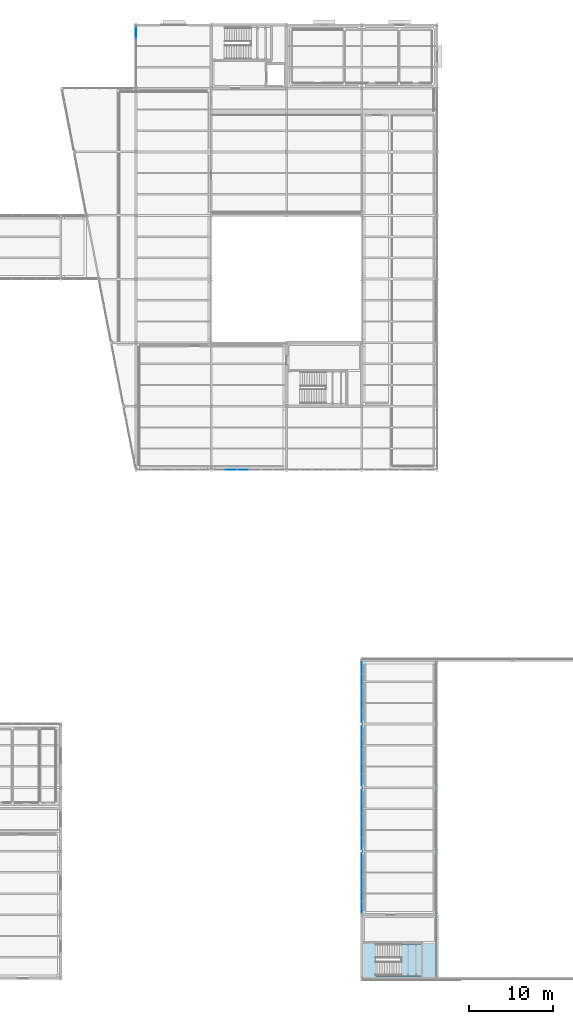
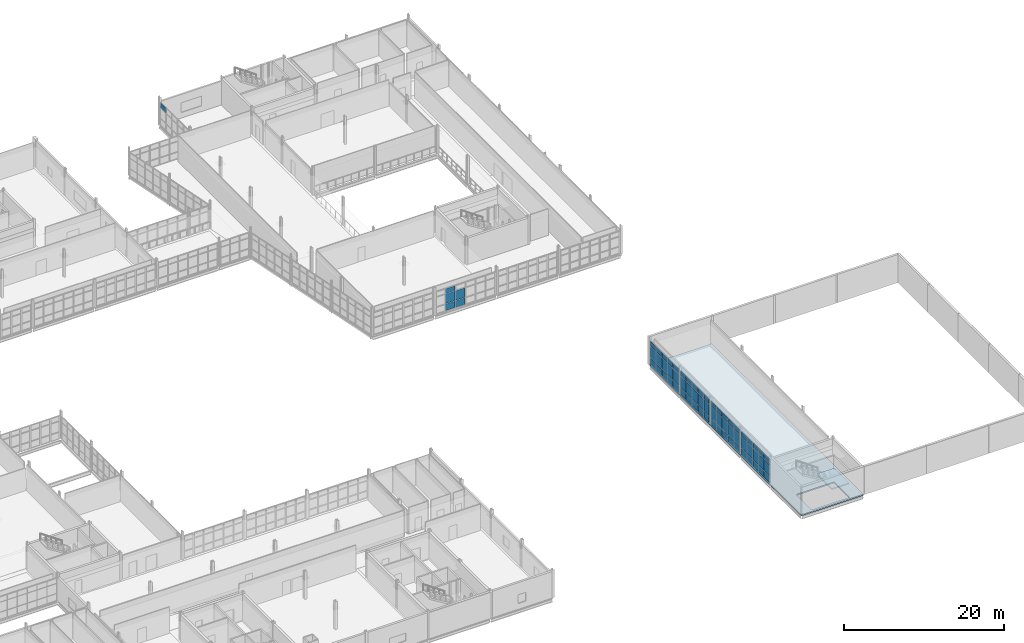
# One storey, part 142 of 174: 66 plates, 2 slabs, 7 elements without a shape of their own.
"""IFC4 building model written with IfcOpenShell, lengths in metres."""

import ifcopenshell
import ifcopenshell.guid

model = None  # the IFC model being written
_history = None  # IfcOwnerHistory: only IFC2X3 demands one
_inside = {}  # id of a spatial element -> (the spatial element, [elements in it])
_under = {}  # id of a project, library or spatial element -> (it, [spatial elements below it])
_declared = {}  # id of a project -> (the project, [libraries it declares])
_typed = {}  # id of a type object -> (the type object, [elements of that type])
_made_of = {}  # id of a material, layer set ... -> (it, [elements and type objects made of it])


def new_model(schema):
    """Start an empty IFC model of exactly this schema.

    Asked for "IFC4X3", IfcOpenShell would pick the latest addendum, in which some entities
    have other attributes; the version numbers below select the first issue.
    IFC2X3 requires an IfcOwnerHistory on every rooted entity: one is made here for all.
    """
    global model, _history
    if schema == "IFC4X3":
        model = ifcopenshell.file(schema_version=(4, 3, 0, 0))
    else:
        model = ifcopenshell.file(schema=schema)
    _inside.clear()
    _under.clear()
    _declared.clear()
    _typed.clear()
    _made_of.clear()
    _history = None
    if model.schema == "IFC2X3":
        org = make("IfcOrganization", Name="unknown")
        user = make(
            "IfcPersonAndOrganization",
            ThePerson=make("IfcPerson", FamilyName="unknown"),
            TheOrganization=org,
        )
        app = make(
            "IfcApplication",
            ApplicationDeveloper=org,
            Version="unknown",
            ApplicationFullName="unknown",
            ApplicationIdentifier="unknown",
        )
        _history = make(
            "IfcOwnerHistory",
            OwningUser=user,
            OwningApplication=app,
            ChangeAction="ADDED",
            CreationDate=0,
        )
    return model


def make(cls, **values):
    """One entity of the class cls with the attributes given. An attribute that is None is left unset."""
    return model.create_entity(
        cls, **{name: value for name, value in values.items() if value is not None}
    )


def rooted(cls, **values):
    """An entity with a GlobalId (a new one), such as an element, a storey or a relation."""
    return make(cls, GlobalId=ifcopenshell.guid.new(), OwnerHistory=_history, **values)


def si_unit(unit_type, name, prefix=None):
    """IfcSIUnit, for example si_unit("LENGTHUNIT", "METRE", prefix="MILLI")."""
    return make("IfcSIUnit", UnitType=unit_type, Prefix=prefix, Name=name)


def assignment(units):
    """IfcUnitAssignment: the units of a project."""
    return None if units is None else make("IfcUnitAssignment", Units=units)


def point(xyz):
    """IfcCartesianPoint."""
    return None if xyz is None else make("IfcCartesianPoint", Coordinates=xyz)


def direction(xyz):
    """IfcDirection."""
    return None if xyz is None else make("IfcDirection", DirectionRatios=xyz)


def frame(location, z_axis=None, x_axis=None):
    """IfcAxis2Placement3D, a coordinate frame: its origin and axes. An axis left out is left unset."""
    return make(
        "IfcAxis2Placement3D",
        Location=point(location),
        Axis=direction(z_axis),
        RefDirection=direction(x_axis),
    )


def frame_2d(location, x_axis=None):
    """IfcAxis2Placement2D, a coordinate frame in the plane: its origin and x axis."""
    return make(
        "IfcAxis2Placement2D", Location=point(location), RefDirection=direction(x_axis)
    )


def origin():
    """The frame at (0, 0, 0) with its axes left unset."""
    return frame((0.0, 0.0, 0.0))


def origin_2d():
    """The frame at (0, 0) in the plane with its x axis left unset."""
    return frame_2d((0.0, 0.0))


def place(relative_to, where):
    """IfcLocalPlacement: puts the frame where relative to a parent placement (None: the world)."""
    return make(
        "IfcLocalPlacement", PlacementRelTo=relative_to, RelativePlacement=where
    )


def context(
    kind, dimensions, precision=None, world=None, true_north=None, identifier=None
):
    """IfcGeometricRepresentationContext, for example the 3D "Model" context."""
    return make(
        "IfcGeometricRepresentationContext",
        ContextIdentifier=identifier,
        ContextType=kind,
        CoordinateSpaceDimension=dimensions,
        Precision=precision,
        WorldCoordinateSystem=world,
        TrueNorth=true_north,
    )


def subcontext(parent, identifier, kind, view, scale=None):
    """IfcGeometricRepresentationSubContext, for example "Body" below "Model"."""
    return make(
        "IfcGeometricRepresentationSubContext",
        ContextIdentifier=identifier,
        ContextType=kind,
        ParentContext=parent,
        TargetScale=scale,
        TargetView=view,
    )


def project(units=None, contexts=None):
    """IfcProject with its units and contexts."""
    return rooted(
        "IfcProject",
        Name="project",
        RepresentationContexts=contexts,
        UnitsInContext=assignment(units),
    )


def spatial(cls, under=None, at=None, **own):
    """A site, building, storey or space (cls), placed at a placement, below another one or the project."""
    s = rooted(cls, ObjectPlacement=at, **own)
    if under is not None:
        _under.setdefault(under.id(), (under, []))[1].append(s)
    return s


def polyline(points):
    """IfcPolyline through the points."""
    return make("IfcPolyline", Points=[point(p) for p in points])


def profile(cls, at=None, kind="AREA", **sizes):
    """A parametric profile (cls). Its sizes go by their IFC names, for example OverallWidth=200.0."""
    return make(cls, ProfileType=kind, Position=at, **sizes)


def rectangle(**sizes):
    """IfcRectangleProfileDef."""
    return profile("IfcRectangleProfileDef", **sizes)


def outline(outer, holes=None, kind="AREA"):
    """IfcArbitraryClosedProfileDef: a profile drawn as a closed curve; with holes, ...WithVoids."""
    if holes is None:
        return make("IfcArbitraryClosedProfileDef", ProfileType=kind, OuterCurve=outer)
    return make(
        "IfcArbitraryProfileDefWithVoids",
        ProfileType=kind,
        OuterCurve=outer,
        InnerCurves=holes,
    )


def extrude(swept, where, along, depth):
    """IfcExtrudedAreaSolid: the profile swept, set in the frame where, extruded along a direction by depth."""
    return make(
        "IfcExtrudedAreaSolid",
        SweptArea=swept,
        Position=where,
        ExtrudedDirection=direction(along),
        Depth=depth,
    )


def shape(context_of_items, identifier, shape_type, items):
    """IfcShapeRepresentation: the items that make up one representation, for example the "Body"."""
    return make(
        "IfcShapeRepresentation",
        ContextOfItems=context_of_items,
        RepresentationIdentifier=identifier,
        RepresentationType=shape_type,
        Items=items,
    )


def material(Name=None, Category=None):
    """IfcMaterial."""
    return make("IfcMaterial", Name=Name, Category=Category)


def layer(
    of_material, thickness, ventilated=None, Name=None, Category=None, Priority=None
):
    """IfcMaterialLayer: one layer of a wall or slab, of a material (None: an air gap)."""
    return make(
        "IfcMaterialLayer",
        Material=of_material,
        LayerThickness=thickness,
        IsVentilated=ventilated,
        Name=Name,
        Category=Category,
        Priority=Priority,
    )


def layer_set(layers, Name=None):
    """IfcMaterialLayerSet."""
    return make("IfcMaterialLayerSet", MaterialLayers=layers, LayerSetName=Name)


def made_of(thing, what):
    """Note that an element or type object is made of a material, layer set ...; save() writes the relation."""
    if what is not None:
        _made_of.setdefault(what.id(), (what, []))[1].append(thing)
    return thing


def type_object(cls, material=None, **own):
    """A type object (cls), such as IfcWallType, which elements share."""
    return made_of(rooted(cls, **own), material)


def element(
    cls,
    number,
    at=None,
    inside=None,
    cuts=None,
    type_object=None,
    material=None,
    context=None,
    identifier="Body",
    shape_type=None,
    held_by="IfcProductDefinitionShape",
    body=None,
    shapes=None,
    **own,
):
    """One element of the class cls, such as IfcWall. Its Tag is "e" and its number.

    at: its placement. inside: the storey or other place that contains it. cuts: it is an
    opening in that element (IfcRelVoidsElement). A single representation is given by context,
    identifier, shape_type and body (its items); several are given by shapes. held_by: the class
    of the entity that holds the representations. save() writes the other relations.
    """
    e = rooted(cls, Tag="e%d" % number, ObjectPlacement=at, **own)
    if body is not None:
        shapes = [shape(context, identifier, shape_type, body)]
    if shapes is not None:
        e.Representation = make(held_by, Representations=shapes)
    if inside is not None:
        _inside.setdefault(inside.id(), (inside, []))[1].append(e)
    if cuts is not None:
        rooted(
            "IfcRelVoidsElement", RelatingBuildingElement=cuts, RelatedOpeningElement=e
        )
    if type_object is not None:
        _typed.setdefault(type_object.id(), (type_object, []))[1].append(e)
    return made_of(e, material)


def aggregate(whole, parts):
    """IfcRelAggregates: a whole, such as a stair, and the parts it consists of."""
    return rooted("IfcRelAggregates", RelatingObject=whole, RelatedObjects=parts)


def save(model, path):
    """Write the relations noted so far, then the file.

    IfcRelAggregates (storeys below a building ...), IfcRelContainedInSpatialStructure (elements
    in a storey), IfcRelDefinesByType, IfcRelAssociatesMaterial and IfcRelDeclares: one each for
    every whole, place, type object, material and project.
    """
    for whole, parts in _under.values():
        aggregate(whole, parts)
    for where, things in _inside.values():
        rooted(
            "IfcRelContainedInSpatialStructure",
            RelatedElements=things,
            RelatingStructure=where,
        )
    for kind, things in _typed.values():
        rooted("IfcRelDefinesByType", RelatedObjects=things, RelatingType=kind)
    for what, things in _made_of.values():
        rooted("IfcRelAssociatesMaterial", RelatedObjects=things, RelatingMaterial=what)
    for by, libraries in _declared.values():
        rooted("IfcRelDeclares", RelatingContext=by, RelatedDefinitions=libraries)
    model.write(path)


model = new_model("IFC4")

# Units and contexts
model_context = context("Model", 3, precision=1e-05, world=origin(), true_north=direction((0.0, 1.0)))
body_context = subcontext(model_context, "Body", "Model", "MODEL_VIEW")
ifc_project = project(units=[si_unit("LENGTHUNIT", "METRE"), si_unit("AREAUNIT", "SQUARE_METRE"), si_unit("VOLUMEUNIT", "CUBIC_METRE"), si_unit("PLANEANGLEUNIT", "RADIAN"), si_unit("MASSUNIT", "GRAM", prefix="KILO")], contexts=[model_context])

# Site, building, storey
site_placement = place(None, origin())
site = spatial("IfcSite", under=ifc_project, at=site_placement, CompositionType="ELEMENT")
building_placement = place(site_placement, origin())
building = spatial("IfcBuilding", under=site, at=building_placement, Name="Caisbarro Railhouse Central Library", CompositionType="ELEMENT")
storey_placement = place(building_placement, frame((0.0, 0.0, 5.0400390625)))
storey = spatial("IfcBuildingStorey", under=building, at=storey_placement, Name="L01", CompositionType="ELEMENT", Elevation=5.0400390625)

# Curtain wall, plates
ifc_material_1 = material(Name="Anodised architectural aluminium", Category="aluminium")
curtain_wall_type_1 = type_object("IfcCurtainWallType", Name="CW-CW02", PredefinedType="NOTDEFINED", material=ifc_material_1)
curtain_wall_1_placement = place(storey_placement, origin())
curtain_wall_1 = element("IfcCurtainWall", 1, at=curtain_wall_1_placement, inside=storey, type_object=curtain_wall_type_1, Name="CW02 curtain wall L01 #118", PredefinedType="NOTDEFINED")
ifc_material_2 = material(Name="Double low-e laminated solar-control glass", Category="glass")
ifc_layer_1 = layer(ifc_material_2, 0.028076171875, Name="Double low-e laminated solar-control glass")
ifc_layer_set_1 = layer_set([ifc_layer_1], Name="Double low-e laminated solar-control glass")
plate_type_1 = type_object("IfcPlateType", Name="CWP-CP28", PredefinedType="CURTAIN_PANEL", material=ifc_layer_set_1)
plate_1_placement = place(storey_placement, frame((128.330078125, 60.800048828125, 0.07470703125), z_axis=(0.0, 0.0, 1.0), x_axis=(1.0, 0.0, 0.0)))
plate_1 = element("IfcPlate", 2, at=plate_1_placement, type_object=plate_type_1, Name="CW02 panel 2.1", PredefinedType="CURTAIN_PANEL", context=body_context, shape_type="SweptSolid", body=[
    extrude(rectangle(XDim=1.37158203125, YDim=0.028076171875, at=origin_2d()), origin(), (0.0, 0.0, 1.0), 1.007568359375),
])
plate_2_placement = place(storey_placement, frame((128.330078125, 60.800048828125, 1.1572265625), z_axis=(0.0, 0.0, 1.0), x_axis=(1.0, 0.0, 0.0)))
plate_2 = element("IfcPlate", 3, at=plate_2_placement, type_object=plate_type_1, Name="CW02 panel 2.2", PredefinedType="CURTAIN_PANEL", context=body_context, shape_type="SweptSolid", body=[
    extrude(rectangle(XDim=1.37158203125, YDim=0.028076171875, at=origin_2d()), origin(), (0.0, 0.0, 1.0), 1.465087890625),
])
plate_3_placement = place(storey_placement, frame((128.330078125, 60.800048828125, 2.697265625), z_axis=(0.0, 0.0, 1.0), x_axis=(1.0, 0.0, 0.0)))
plate_3 = element("IfcPlate", 4, at=plate_3_placement, type_object=plate_type_1, Name="CW02 panel 2.3", PredefinedType="CURTAIN_PANEL", context=body_context, shape_type="SweptSolid", body=[
    extrude(rectangle(XDim=1.37158203125, YDim=0.028076171875, at=origin_2d()), origin(), (0.0, 0.0, 1.0), 0.737548828125),
])
plate_4_placement = place(storey_placement, frame((129.776611328125, 60.800048828125, 0.07470703125), z_axis=(0.0, 0.0, 1.0), x_axis=(1.0, 0.0, 0.0)))
plate_4 = element("IfcPlate", 5, at=plate_4_placement, type_object=plate_type_1, Name="CW02 panel 3.1", PredefinedType="CURTAIN_PANEL", context=body_context, shape_type="SweptSolid", body=[
    extrude(rectangle(XDim=1.37158203125, YDim=0.028076171875, at=origin_2d()), origin(), (0.0, 0.0, 1.0), 1.007568359375),
])
plate_5_placement = place(storey_placement, frame((129.776611328125, 60.800048828125, 1.1572265625), z_axis=(0.0, 0.0, 1.0), x_axis=(1.0, 0.0, 0.0)))
plate_5 = element("IfcPlate", 6, at=plate_5_placement, type_object=plate_type_1, Name="CW02 panel 3.2", PredefinedType="CURTAIN_PANEL", context=body_context, shape_type="SweptSolid", body=[
    extrude(rectangle(XDim=1.37158203125, YDim=0.028076171875, at=origin_2d()), origin(), (0.0, 0.0, 1.0), 1.465087890625),
])
aggregate(curtain_wall_1, [plate_1, plate_2, plate_3, plate_4, plate_5])

curtain_wall_2_placement = place(storey_placement, origin())
curtain_wall_2 = element("IfcCurtainWall", 7, at=curtain_wall_2_placement, inside=storey, type_object=curtain_wall_type_1, Name="CW02 curtain wall L01 #88", PredefinedType="NOTDEFINED")
ifc_layer_2 = layer(ifc_material_2, 0.0380859375, Name="Double low-e laminated solar-control glass")
ifc_layer_set_2 = layer_set([ifc_layer_2], Name="Double low-e laminated solar-control glass")
plate_type_2 = type_object("IfcPlateType", Name="CWP-CP38", PredefinedType="CURTAIN_PANEL", material=ifc_layer_set_2)
plate_6_placement = place(storey_placement, frame((144.0, 8.5068359375, 0.07470703125), z_axis=(0.0, 0.0, 1.0), x_axis=(0.0, 1.0, 0.0)))
plate_6 = element("IfcPlate", 8, at=plate_6_placement, type_object=plate_type_2, Name="CW02 panel 1.1", PredefinedType="CURTAIN_PANEL", context=body_context, shape_type="SweptSolid", body=[
    extrude(rectangle(XDim=1.343505859375, YDim=0.0380859375, at=origin_2d()), origin(), (0.0, 0.0, 1.0), 1.007568359375),
])
plate_7_placement = place(storey_placement, frame((144.0, 8.5068359375, 1.157470703125), z_axis=(0.0, 0.0, 1.0), x_axis=(0.0, 1.0, 0.0)))
plate_7 = element("IfcPlate", 9, at=plate_7_placement, type_object=plate_type_2, Name="CW02 panel 1.2", PredefinedType="CURTAIN_PANEL", context=body_context, shape_type="SweptSolid", body=[
    extrude(rectangle(XDim=1.343505859375, YDim=0.0380859375, at=origin_2d()), origin(), (0.0, 0.0, 1.0), 1.72509765625),
])
plate_8_placement = place(storey_placement, frame((144.0, 8.5068359375, 2.95751953125), z_axis=(0.0, 0.0, 1.0), x_axis=(0.0, 1.0, 0.0)))
plate_8 = element("IfcPlate", 10, at=plate_8_placement, type_object=plate_type_2, Name="CW02 panel 1.3", PredefinedType="CURTAIN_PANEL", context=body_context, shape_type="SweptSolid", body=[
    extrude(rectangle(XDim=1.343505859375, YDim=0.0380859375, at=origin_2d()), origin(), (0.0, 0.0, 1.0), 0.737548828125),
])
plate_9_placement = place(storey_placement, frame((144.0, 9.944091796875, 0.07470703125), z_axis=(0.0, 0.0, 1.0), x_axis=(0.0, 1.0, 0.0)))
plate_9 = element("IfcPlate", 11, at=plate_9_placement, type_object=plate_type_2, Name="CW02 panel 2.1", PredefinedType="CURTAIN_PANEL", context=body_context, shape_type="SweptSolid", body=[
    extrude(rectangle(XDim=1.381103515625, YDim=0.0380859375, at=origin_2d()), origin(), (0.0, 0.0, 1.0), 1.007568359375),
])
plate_10_placement = place(storey_placement, frame((144.0, 9.944091796875, 1.157470703125), z_axis=(0.0, 0.0, 1.0), x_axis=(0.0, 1.0, 0.0)))
plate_10 = element("IfcPlate", 12, at=plate_10_placement, type_object=plate_type_2, Name="CW02 panel 2.2", PredefinedType="CURTAIN_PANEL", context=body_context, shape_type="SweptSolid", body=[
    extrude(rectangle(XDim=1.381103515625, YDim=0.0380859375, at=origin_2d()), origin(), (0.0, 0.0, 1.0), 1.72509765625),
])
plate_11_placement = place(storey_placement, frame((144.0, 9.944091796875, 2.95751953125), z_axis=(0.0, 0.0, 1.0), x_axis=(0.0, 1.0, 0.0)))
plate_11 = element("IfcPlate", 13, at=plate_11_placement, type_object=plate_type_2, Name="CW02 panel 2.3", PredefinedType="CURTAIN_PANEL", context=body_context, shape_type="SweptSolid", body=[
    extrude(rectangle(XDim=1.381103515625, YDim=0.0380859375, at=origin_2d()), origin(), (0.0, 0.0, 1.0), 0.737548828125),
])
plate_12_placement = place(storey_placement, frame((144.0, 11.39990234375, 0.07470703125), z_axis=(0.0, 0.0, 1.0), x_axis=(0.0, 1.0, 0.0)))
plate_12 = element("IfcPlate", 14, at=plate_12_placement, type_object=plate_type_2, Name="CW02 panel 3.1", PredefinedType="CURTAIN_PANEL", context=body_context, shape_type="SweptSolid", body=[
    extrude(rectangle(XDim=1.381103515625, YDim=0.0380859375, at=origin_2d()), origin(), (0.0, 0.0, 1.0), 1.007568359375),
])
plate_13_placement = place(storey_placement, frame((144.0, 11.39990234375, 1.157470703125), z_axis=(0.0, 0.0, 1.0), x_axis=(0.0, 1.0, 0.0)))
plate_13 = element("IfcPlate", 15, at=plate_13_placement, type_object=plate_type_2, Name="CW02 panel 3.2", PredefinedType="CURTAIN_PANEL", context=body_context, shape_type="SweptSolid", body=[
    extrude(rectangle(XDim=1.381103515625, YDim=0.0380859375, at=origin_2d()), origin(), (0.0, 0.0, 1.0), 1.72509765625),
])
plate_14_placement = place(storey_placement, frame((144.0, 11.39990234375, 2.95751953125), z_axis=(0.0, 0.0, 1.0), x_axis=(0.0, 1.0, 0.0)))
plate_14 = element("IfcPlate", 16, at=plate_14_placement, type_object=plate_type_2, Name="CW02 panel 3.3", PredefinedType="CURTAIN_PANEL", context=body_context, shape_type="SweptSolid", body=[
    extrude(rectangle(XDim=1.381103515625, YDim=0.0380859375, at=origin_2d()), origin(), (0.0, 0.0, 1.0), 0.737548828125),
])
plate_15_placement = place(storey_placement, frame((144.0, 12.85595703125, 0.07470703125), z_axis=(0.0, 0.0, 1.0), x_axis=(0.0, 1.0, 0.0)))
plate_15 = element("IfcPlate", 17, at=plate_15_placement, type_object=plate_type_2, Name="CW02 panel 4.1", PredefinedType="CURTAIN_PANEL", context=body_context, shape_type="SweptSolid", body=[
    extrude(rectangle(XDim=1.381103515625, YDim=0.0380859375, at=origin_2d()), origin(), (0.0, 0.0, 1.0), 1.007568359375),
])
plate_16_placement = place(storey_placement, frame((144.0, 12.85595703125, 1.157470703125), z_axis=(0.0, 0.0, 1.0), x_axis=(0.0, 1.0, 0.0)))
plate_16 = element("IfcPlate", 18, at=plate_16_placement, type_object=plate_type_2, Name="CW02 panel 4.2", PredefinedType="CURTAIN_PANEL", context=body_context, shape_type="SweptSolid", body=[
    extrude(rectangle(XDim=1.381103515625, YDim=0.0380859375, at=origin_2d()), origin(), (0.0, 0.0, 1.0), 1.72509765625),
])
plate_17_placement = place(storey_placement, frame((144.0, 12.85595703125, 2.95751953125), z_axis=(0.0, 0.0, 1.0), x_axis=(0.0, 1.0, 0.0)))
plate_17 = element("IfcPlate", 19, at=plate_17_placement, type_object=plate_type_2, Name="CW02 panel 4.3", PredefinedType="CURTAIN_PANEL", context=body_context, shape_type="SweptSolid", body=[
    extrude(rectangle(XDim=1.381103515625, YDim=0.0380859375, at=origin_2d()), origin(), (0.0, 0.0, 1.0), 0.737548828125),
])
plate_18_placement = place(storey_placement, frame((144.0, 14.293212890625, 0.07470703125), z_axis=(0.0, 0.0, 1.0), x_axis=(0.0, 1.0, 0.0)))
plate_18 = element("IfcPlate", 20, at=plate_18_placement, type_object=plate_type_2, Name="CW02 panel 5.1", PredefinedType="CURTAIN_PANEL", context=body_context, shape_type="SweptSolid", body=[
    extrude(rectangle(XDim=1.343505859375, YDim=0.0380859375, at=origin_2d()), origin(), (0.0, 0.0, 1.0), 1.007568359375),
])
plate_19_placement = place(storey_placement, frame((144.0, 14.293212890625, 1.157470703125), z_axis=(0.0, 0.0, 1.0), x_axis=(0.0, 1.0, 0.0)))
plate_19 = element("IfcPlate", 21, at=plate_19_placement, type_object=plate_type_2, Name="CW02 panel 5.2", PredefinedType="CURTAIN_PANEL", context=body_context, shape_type="SweptSolid", body=[
    extrude(rectangle(XDim=1.343505859375, YDim=0.0380859375, at=origin_2d()), origin(), (0.0, 0.0, 1.0), 1.72509765625),
])
plate_20_placement = place(storey_placement, frame((144.0, 14.293212890625, 2.95751953125), z_axis=(0.0, 0.0, 1.0), x_axis=(0.0, 1.0, 0.0)))
plate_20 = element("IfcPlate", 22, at=plate_20_placement, type_object=plate_type_2, Name="CW02 panel 5.3", PredefinedType="CURTAIN_PANEL", context=body_context, shape_type="SweptSolid", body=[
    extrude(rectangle(XDim=1.343505859375, YDim=0.0380859375, at=origin_2d()), origin(), (0.0, 0.0, 1.0), 0.737548828125),
])
aggregate(curtain_wall_2, [plate_6, plate_7, plate_8, plate_9, plate_10, plate_11, plate_12, plate_13, plate_14, plate_15, plate_16, plate_17, plate_18, plate_19, plate_20])

curtain_wall_3_placement = place(storey_placement, origin())
curtain_wall_3 = element("IfcCurtainWall", 23, at=curtain_wall_3_placement, inside=storey, type_object=curtain_wall_type_1, Name="CW02 curtain wall L01 #89", PredefinedType="NOTDEFINED")
plate_21_placement = place(storey_placement, frame((144.0, 16.106689453125, 0.07470703125), z_axis=(0.0, 0.0, 1.0), x_axis=(0.0, 1.0, 0.0)))
plate_21 = element("IfcPlate", 24, at=plate_21_placement, type_object=plate_type_2, Name="CW02 panel 1.1", PredefinedType="CURTAIN_PANEL", context=body_context, shape_type="SweptSolid", body=[
    extrude(rectangle(XDim=1.343505859375, YDim=0.0380859375, at=origin_2d()), origin(), (0.0, 0.0, 1.0), 1.007568359375),
])
plate_22_placement = place(storey_placement, frame((144.0, 16.106689453125, 1.157470703125), z_axis=(0.0, 0.0, 1.0), x_axis=(0.0, 1.0, 0.0)))
plate_22 = element("IfcPlate", 25, at=plate_22_placement, type_object=plate_type_2, Name="CW02 panel 1.2", PredefinedType="CURTAIN_PANEL", context=body_context, shape_type="SweptSolid", body=[
    extrude(rectangle(XDim=1.343505859375, YDim=0.0380859375, at=origin_2d()), origin(), (0.0, 0.0, 1.0), 1.72509765625),
])
plate_23_placement = place(storey_placement, frame((144.0, 16.106689453125, 2.95751953125), z_axis=(0.0, 0.0, 1.0), x_axis=(0.0, 1.0, 0.0)))
plate_23 = element("IfcPlate", 26, at=plate_23_placement, type_object=plate_type_2, Name="CW02 panel 1.3", PredefinedType="CURTAIN_PANEL", context=body_context, shape_type="SweptSolid", body=[
    extrude(rectangle(XDim=1.343505859375, YDim=0.0380859375, at=origin_2d()), origin(), (0.0, 0.0, 1.0), 0.737548828125),
])
plate_24_placement = place(storey_placement, frame((144.0, 17.5439453125, 0.07470703125), z_axis=(0.0, 0.0, 1.0), x_axis=(0.0, 1.0, 0.0)))
plate_24 = element("IfcPlate", 27, at=plate_24_placement, type_object=plate_type_2, Name="CW02 panel 2.1", PredefinedType="CURTAIN_PANEL", context=body_context, shape_type="SweptSolid", body=[
    extrude(rectangle(XDim=1.381103515625, YDim=0.0380859375, at=origin_2d()), origin(), (0.0, 0.0, 1.0), 1.007568359375),
])
plate_25_placement = place(storey_placement, frame((144.0, 17.5439453125, 1.157470703125), z_axis=(0.0, 0.0, 1.0), x_axis=(0.0, 1.0, 0.0)))
plate_25 = element("IfcPlate", 28, at=plate_25_placement, type_object=plate_type_2, Name="CW02 panel 2.2", PredefinedType="CURTAIN_PANEL", context=body_context, shape_type="SweptSolid", body=[
    extrude(rectangle(XDim=1.381103515625, YDim=0.0380859375, at=origin_2d()), origin(), (0.0, 0.0, 1.0), 1.72509765625),
])
plate_26_placement = place(storey_placement, frame((144.0, 17.5439453125, 2.95751953125), z_axis=(0.0, 0.0, 1.0), x_axis=(0.0, 1.0, 0.0)))
plate_26 = element("IfcPlate", 29, at=plate_26_placement, type_object=plate_type_2, Name="CW02 panel 2.3", PredefinedType="CURTAIN_PANEL", context=body_context, shape_type="SweptSolid", body=[
    extrude(rectangle(XDim=1.381103515625, YDim=0.0380859375, at=origin_2d()), origin(), (0.0, 0.0, 1.0), 0.737548828125),
])
plate_27_placement = place(storey_placement, frame((144.0, 19.0, 0.07470703125), z_axis=(0.0, 0.0, 1.0), x_axis=(0.0, 1.0, 0.0)))
plate_27 = element("IfcPlate", 30, at=plate_27_placement, type_object=plate_type_2, Name="CW02 panel 3.1", PredefinedType="CURTAIN_PANEL", context=body_context, shape_type="SweptSolid", body=[
    extrude(rectangle(XDim=1.381103515625, YDim=0.0380859375, at=origin_2d()), origin(), (0.0, 0.0, 1.0), 1.007568359375),
])
plate_28_placement = place(storey_placement, frame((144.0, 19.0, 1.157470703125), z_axis=(0.0, 0.0, 1.0), x_axis=(0.0, 1.0, 0.0)))
plate_28 = element("IfcPlate", 31, at=plate_28_placement, type_object=plate_type_2, Name="CW02 panel 3.2", PredefinedType="CURTAIN_PANEL", context=body_context, shape_type="SweptSolid", body=[
    extrude(rectangle(XDim=1.381103515625, YDim=0.0380859375, at=origin_2d()), origin(), (0.0, 0.0, 1.0), 1.72509765625),
])
plate_29_placement = place(storey_placement, frame((144.0, 19.0, 2.95751953125), z_axis=(0.0, 0.0, 1.0), x_axis=(0.0, 1.0, 0.0)))
plate_29 = element("IfcPlate", 32, at=plate_29_placement, type_object=plate_type_2, Name="CW02 panel 3.3", PredefinedType="CURTAIN_PANEL", context=body_context, shape_type="SweptSolid", body=[
    extrude(rectangle(XDim=1.381103515625, YDim=0.0380859375, at=origin_2d()), origin(), (0.0, 0.0, 1.0), 0.737548828125),
])
plate_30_placement = place(storey_placement, frame((144.0, 20.4560546875, 0.07470703125), z_axis=(0.0, 0.0, 1.0), x_axis=(0.0, 1.0, 0.0)))
plate_30 = element("IfcPlate", 33, at=plate_30_placement, type_object=plate_type_2, Name="CW02 panel 4.1", PredefinedType="CURTAIN_PANEL", context=body_context, shape_type="SweptSolid", body=[
    extrude(rectangle(XDim=1.381103515625, YDim=0.0380859375, at=origin_2d()), origin(), (0.0, 0.0, 1.0), 1.007568359375),
])
plate_31_placement = place(storey_placement, frame((144.0, 20.4560546875, 1.157470703125), z_axis=(0.0, 0.0, 1.0), x_axis=(0.0, 1.0, 0.0)))
plate_31 = element("IfcPlate", 34, at=plate_31_placement, type_object=plate_type_2, Name="CW02 panel 4.2", PredefinedType="CURTAIN_PANEL", context=body_context, shape_type="SweptSolid", body=[
    extrude(rectangle(XDim=1.381103515625, YDim=0.0380859375, at=origin_2d()), origin(), (0.0, 0.0, 1.0), 1.72509765625),
])
plate_32_placement = place(storey_placement, frame((144.0, 20.4560546875, 2.95751953125), z_axis=(0.0, 0.0, 1.0), x_axis=(0.0, 1.0, 0.0)))
plate_32 = element("IfcPlate", 35, at=plate_32_placement, type_object=plate_type_2, Name="CW02 panel 4.3", PredefinedType="CURTAIN_PANEL", context=body_context, shape_type="SweptSolid", body=[
    extrude(rectangle(XDim=1.381103515625, YDim=0.0380859375, at=origin_2d()), origin(), (0.0, 0.0, 1.0), 0.737548828125),
])
plate_33_placement = place(storey_placement, frame((144.0, 21.893310546875, 0.07470703125), z_axis=(0.0, 0.0, 1.0), x_axis=(0.0, 1.0, 0.0)))
plate_33 = element("IfcPlate", 36, at=plate_33_placement, type_object=plate_type_2, Name="CW02 panel 5.1", PredefinedType="CURTAIN_PANEL", context=body_context, shape_type="SweptSolid", body=[
    extrude(rectangle(XDim=1.343505859375, YDim=0.0380859375, at=origin_2d()), origin(), (0.0, 0.0, 1.0), 1.007568359375),
])
plate_34_placement = place(storey_placement, frame((144.0, 21.893310546875, 1.157470703125), z_axis=(0.0, 0.0, 1.0), x_axis=(0.0, 1.0, 0.0)))
plate_34 = element("IfcPlate", 37, at=plate_34_placement, type_object=plate_type_2, Name="CW02 panel 5.2", PredefinedType="CURTAIN_PANEL", context=body_context, shape_type="SweptSolid", body=[
    extrude(rectangle(XDim=1.343505859375, YDim=0.0380859375, at=origin_2d()), origin(), (0.0, 0.0, 1.0), 1.72509765625),
])
plate_35_placement = place(storey_placement, frame((144.0, 21.893310546875, 2.95751953125), z_axis=(0.0, 0.0, 1.0), x_axis=(0.0, 1.0, 0.0)))
plate_35 = element("IfcPlate", 38, at=plate_35_placement, type_object=plate_type_2, Name="CW02 panel 5.3", PredefinedType="CURTAIN_PANEL", context=body_context, shape_type="SweptSolid", body=[
    extrude(rectangle(XDim=1.343505859375, YDim=0.0380859375, at=origin_2d()), origin(), (0.0, 0.0, 1.0), 0.737548828125),
])
aggregate(curtain_wall_3, [plate_21, plate_22, plate_23, plate_24, plate_25, plate_26, plate_27, plate_28, plate_29, plate_30, plate_31, plate_32, plate_33, plate_34, plate_35])

curtain_wall_4_placement = place(storey_placement, origin())
curtain_wall_4 = element("IfcCurtainWall", 39, at=curtain_wall_4_placement, inside=storey, type_object=curtain_wall_type_1, Name="CW02 curtain wall L01 #90", PredefinedType="NOTDEFINED")
plate_36_placement = place(storey_placement, frame((144.0, 23.706787109375, 0.07470703125), z_axis=(0.0, 0.0, 1.0), x_axis=(0.0, 1.0, 0.0)))
plate_36 = element("IfcPlate", 40, at=plate_36_placement, type_object=plate_type_2, Name="CW02 panel 1.1", PredefinedType="CURTAIN_PANEL", context=body_context, shape_type="SweptSolid", body=[
    extrude(rectangle(XDim=1.343505859375, YDim=0.0380859375, at=origin_2d()), origin(), (0.0, 0.0, 1.0), 1.007568359375),
])
plate_37_placement = place(storey_placement, frame((144.0, 23.706787109375, 1.157470703125), z_axis=(0.0, 0.0, 1.0), x_axis=(0.0, 1.0, 0.0)))
plate_37 = element("IfcPlate", 41, at=plate_37_placement, type_object=plate_type_2, Name="CW02 panel 1.2", PredefinedType="CURTAIN_PANEL", context=body_context, shape_type="SweptSolid", body=[
    extrude(rectangle(XDim=1.343505859375, YDim=0.0380859375, at=origin_2d()), origin(), (0.0, 0.0, 1.0), 1.72509765625),
])
plate_38_placement = place(storey_placement, frame((144.0, 23.706787109375, 2.95751953125), z_axis=(0.0, 0.0, 1.0), x_axis=(0.0, 1.0, 0.0)))
plate_38 = element("IfcPlate", 42, at=plate_38_placement, type_object=plate_type_2, Name="CW02 panel 1.3", PredefinedType="CURTAIN_PANEL", context=body_context, shape_type="SweptSolid", body=[
    extrude(rectangle(XDim=1.343505859375, YDim=0.0380859375, at=origin_2d()), origin(), (0.0, 0.0, 1.0), 0.737548828125),
])
plate_39_placement = place(storey_placement, frame((144.0, 25.14404296875, 0.07470703125), z_axis=(0.0, 0.0, 1.0), x_axis=(0.0, 1.0, 0.0)))
plate_39 = element("IfcPlate", 43, at=plate_39_placement, type_object=plate_type_2, Name="CW02 panel 2.1", PredefinedType="CURTAIN_PANEL", context=body_context, shape_type="SweptSolid", body=[
    extrude(rectangle(XDim=1.381103515625, YDim=0.0380859375, at=origin_2d()), origin(), (0.0, 0.0, 1.0), 1.007568359375),
])
plate_40_placement = place(storey_placement, frame((144.0, 25.14404296875, 1.157470703125), z_axis=(0.0, 0.0, 1.0), x_axis=(0.0, 1.0, 0.0)))
plate_40 = element("IfcPlate", 44, at=plate_40_placement, type_object=plate_type_2, Name="CW02 panel 2.2", PredefinedType="CURTAIN_PANEL", context=body_context, shape_type="SweptSolid", body=[
    extrude(rectangle(XDim=1.381103515625, YDim=0.0380859375, at=origin_2d()), origin(), (0.0, 0.0, 1.0), 1.72509765625),
])
plate_41_placement = place(storey_placement, frame((144.0, 25.14404296875, 2.95751953125), z_axis=(0.0, 0.0, 1.0), x_axis=(0.0, 1.0, 0.0)))
plate_41 = element("IfcPlate", 45, at=plate_41_placement, type_object=plate_type_2, Name="CW02 panel 2.3", PredefinedType="CURTAIN_PANEL", context=body_context, shape_type="SweptSolid", body=[
    extrude(rectangle(XDim=1.381103515625, YDim=0.0380859375, at=origin_2d()), origin(), (0.0, 0.0, 1.0), 0.737548828125),
])
plate_42_placement = place(storey_placement, frame((144.0, 26.60009765625, 0.07470703125), z_axis=(0.0, 0.0, 1.0), x_axis=(0.0, 1.0, 0.0)))
plate_42 = element("IfcPlate", 46, at=plate_42_placement, type_object=plate_type_2, Name="CW02 panel 3.1", PredefinedType="CURTAIN_PANEL", context=body_context, shape_type="SweptSolid", body=[
    extrude(rectangle(XDim=1.381103515625, YDim=0.0380859375, at=origin_2d()), origin(), (0.0, 0.0, 1.0), 1.007568359375),
])
plate_43_placement = place(storey_placement, frame((144.0, 26.60009765625, 1.157470703125), z_axis=(0.0, 0.0, 1.0), x_axis=(0.0, 1.0, 0.0)))
plate_43 = element("IfcPlate", 47, at=plate_43_placement, type_object=plate_type_2, Name="CW02 panel 3.2", PredefinedType="CURTAIN_PANEL", context=body_context, shape_type="SweptSolid", body=[
    extrude(rectangle(XDim=1.381103515625, YDim=0.0380859375, at=origin_2d()), origin(), (0.0, 0.0, 1.0), 1.72509765625),
])
plate_44_placement = place(storey_placement, frame((144.0, 26.60009765625, 2.95751953125), z_axis=(0.0, 0.0, 1.0), x_axis=(0.0, 1.0, 0.0)))
plate_44 = element("IfcPlate", 48, at=plate_44_placement, type_object=plate_type_2, Name="CW02 panel 3.3", PredefinedType="CURTAIN_PANEL", context=body_context, shape_type="SweptSolid", body=[
    extrude(rectangle(XDim=1.381103515625, YDim=0.0380859375, at=origin_2d()), origin(), (0.0, 0.0, 1.0), 0.737548828125),
])
plate_45_placement = place(storey_placement, frame((144.0, 28.055908203125, 0.07470703125), z_axis=(0.0, 0.0, 1.0), x_axis=(0.0, 1.0, 0.0)))
plate_45 = element("IfcPlate", 49, at=plate_45_placement, type_object=plate_type_2, Name="CW02 panel 4.1", PredefinedType="CURTAIN_PANEL", context=body_context, shape_type="SweptSolid", body=[
    extrude(rectangle(XDim=1.381103515625, YDim=0.0380859375, at=origin_2d()), origin(), (0.0, 0.0, 1.0), 1.007568359375),
])
plate_46_placement = place(storey_placement, frame((144.0, 28.055908203125, 1.157470703125), z_axis=(0.0, 0.0, 1.0), x_axis=(0.0, 1.0, 0.0)))
plate_46 = element("IfcPlate", 50, at=plate_46_placement, type_object=plate_type_2, Name="CW02 panel 4.2", PredefinedType="CURTAIN_PANEL", context=body_context, shape_type="SweptSolid", body=[
    extrude(rectangle(XDim=1.381103515625, YDim=0.0380859375, at=origin_2d()), origin(), (0.0, 0.0, 1.0), 1.72509765625),
])
plate_47_placement = place(storey_placement, frame((144.0, 28.055908203125, 2.95751953125), z_axis=(0.0, 0.0, 1.0), x_axis=(0.0, 1.0, 0.0)))
plate_47 = element("IfcPlate", 51, at=plate_47_placement, type_object=plate_type_2, Name="CW02 panel 4.3", PredefinedType="CURTAIN_PANEL", context=body_context, shape_type="SweptSolid", body=[
    extrude(rectangle(XDim=1.381103515625, YDim=0.0380859375, at=origin_2d()), origin(), (0.0, 0.0, 1.0), 0.737548828125),
])
plate_48_placement = place(storey_placement, frame((144.0, 29.4931640625, 0.07470703125), z_axis=(0.0, 0.0, 1.0), x_axis=(0.0, 1.0, 0.0)))
plate_48 = element("IfcPlate", 52, at=plate_48_placement, type_object=plate_type_2, Name="CW02 panel 5.1", PredefinedType="CURTAIN_PANEL", context=body_context, shape_type="SweptSolid", body=[
    extrude(rectangle(XDim=1.343505859375, YDim=0.0380859375, at=origin_2d()), origin(), (0.0, 0.0, 1.0), 1.007568359375),
])
plate_49_placement = place(storey_placement, frame((144.0, 29.4931640625, 1.157470703125), z_axis=(0.0, 0.0, 1.0), x_axis=(0.0, 1.0, 0.0)))
plate_49 = element("IfcPlate", 53, at=plate_49_placement, type_object=plate_type_2, Name="CW02 panel 5.2", PredefinedType="CURTAIN_PANEL", context=body_context, shape_type="SweptSolid", body=[
    extrude(rectangle(XDim=1.343505859375, YDim=0.0380859375, at=origin_2d()), origin(), (0.0, 0.0, 1.0), 1.72509765625),
])
plate_50_placement = place(storey_placement, frame((144.0, 29.4931640625, 2.95751953125), z_axis=(0.0, 0.0, 1.0), x_axis=(0.0, 1.0, 0.0)))
plate_50 = element("IfcPlate", 54, at=plate_50_placement, type_object=plate_type_2, Name="CW02 panel 5.3", PredefinedType="CURTAIN_PANEL", context=body_context, shape_type="SweptSolid", body=[
    extrude(rectangle(XDim=1.343505859375, YDim=0.0380859375, at=origin_2d()), origin(), (0.0, 0.0, 1.0), 0.737548828125),
])
aggregate(curtain_wall_4, [plate_36, plate_37, plate_38, plate_39, plate_40, plate_41, plate_42, plate_43, plate_44, plate_45, plate_46, plate_47, plate_48, plate_49, plate_50])

curtain_wall_5_placement = place(storey_placement, origin())
curtain_wall_5 = element("IfcCurtainWall", 55, at=curtain_wall_5_placement, inside=storey, type_object=curtain_wall_type_1, Name="CW02 curtain wall L01 #91", PredefinedType="NOTDEFINED")
plate_51_placement = place(storey_placement, frame((144.0, 31.306640625, 0.07470703125), z_axis=(0.0, 0.0, 1.0), x_axis=(0.0, 1.0, 0.0)))
plate_51 = element("IfcPlate", 56, at=plate_51_placement, type_object=plate_type_2, Name="CW02 panel 1.1", PredefinedType="CURTAIN_PANEL", context=body_context, shape_type="SweptSolid", body=[
    extrude(rectangle(XDim=1.343505859375, YDim=0.0380859375, at=origin_2d()), origin(), (0.0, 0.0, 1.0), 1.007568359375),
])
plate_52_placement = place(storey_placement, frame((144.0, 31.306640625, 1.157470703125), z_axis=(0.0, 0.0, 1.0), x_axis=(0.0, 1.0, 0.0)))
plate_52 = element("IfcPlate", 57, at=plate_52_placement, type_object=plate_type_2, Name="CW02 panel 1.2", PredefinedType="CURTAIN_PANEL", context=body_context, shape_type="SweptSolid", body=[
    extrude(rectangle(XDim=1.343505859375, YDim=0.0380859375, at=origin_2d()), origin(), (0.0, 0.0, 1.0), 1.72509765625),
])
plate_53_placement = place(storey_placement, frame((144.0, 31.306640625, 2.95751953125), z_axis=(0.0, 0.0, 1.0), x_axis=(0.0, 1.0, 0.0)))
plate_53 = element("IfcPlate", 58, at=plate_53_placement, type_object=plate_type_2, Name="CW02 panel 1.3", PredefinedType="CURTAIN_PANEL", context=body_context, shape_type="SweptSolid", body=[
    extrude(rectangle(XDim=1.343505859375, YDim=0.0380859375, at=origin_2d()), origin(), (0.0, 0.0, 1.0), 0.737548828125),
])
plate_54_placement = place(storey_placement, frame((144.0, 32.743896484375, 0.07470703125), z_axis=(0.0, 0.0, 1.0), x_axis=(0.0, 1.0, 0.0)))
plate_54 = element("IfcPlate", 59, at=plate_54_placement, type_object=plate_type_2, Name="CW02 panel 2.1", PredefinedType="CURTAIN_PANEL", context=body_context, shape_type="SweptSolid", body=[
    extrude(rectangle(XDim=1.381103515625, YDim=0.0380859375, at=origin_2d()), origin(), (0.0, 0.0, 1.0), 1.007568359375),
])
plate_55_placement = place(storey_placement, frame((144.0, 32.743896484375, 1.157470703125), z_axis=(0.0, 0.0, 1.0), x_axis=(0.0, 1.0, 0.0)))
plate_55 = element("IfcPlate", 60, at=plate_55_placement, type_object=plate_type_2, Name="CW02 panel 2.2", PredefinedType="CURTAIN_PANEL", context=body_context, shape_type="SweptSolid", body=[
    extrude(rectangle(XDim=1.381103515625, YDim=0.0380859375, at=origin_2d()), origin(), (0.0, 0.0, 1.0), 1.72509765625),
])
plate_56_placement = place(storey_placement, frame((144.0, 32.743896484375, 2.95751953125), z_axis=(0.0, 0.0, 1.0), x_axis=(0.0, 1.0, 0.0)))
plate_56 = element("IfcPlate", 61, at=plate_56_placement, type_object=plate_type_2, Name="CW02 panel 2.3", PredefinedType="CURTAIN_PANEL", context=body_context, shape_type="SweptSolid", body=[
    extrude(rectangle(XDim=1.381103515625, YDim=0.0380859375, at=origin_2d()), origin(), (0.0, 0.0, 1.0), 0.737548828125),
])
plate_57_placement = place(storey_placement, frame((144.0, 34.199951171875, 0.07470703125), z_axis=(0.0, 0.0, 1.0), x_axis=(0.0, 1.0, 0.0)))
plate_57 = element("IfcPlate", 62, at=plate_57_placement, type_object=plate_type_2, Name="CW02 panel 3.1", PredefinedType="CURTAIN_PANEL", context=body_context, shape_type="SweptSolid", body=[
    extrude(rectangle(XDim=1.381103515625, YDim=0.0380859375, at=origin_2d()), origin(), (0.0, 0.0, 1.0), 1.007568359375),
])
plate_58_placement = place(storey_placement, frame((144.0, 34.199951171875, 1.157470703125), z_axis=(0.0, 0.0, 1.0), x_axis=(0.0, 1.0, 0.0)))
plate_58 = element("IfcPlate", 63, at=plate_58_placement, type_object=plate_type_2, Name="CW02 panel 3.2", PredefinedType="CURTAIN_PANEL", context=body_context, shape_type="SweptSolid", body=[
    extrude(rectangle(XDim=1.381103515625, YDim=0.0380859375, at=origin_2d()), origin(), (0.0, 0.0, 1.0), 1.72509765625),
])
plate_59_placement = place(storey_placement, frame((144.0, 34.199951171875, 2.95751953125), z_axis=(0.0, 0.0, 1.0), x_axis=(0.0, 1.0, 0.0)))
plate_59 = element("IfcPlate", 64, at=plate_59_placement, type_object=plate_type_2, Name="CW02 panel 3.3", PredefinedType="CURTAIN_PANEL", context=body_context, shape_type="SweptSolid", body=[
    extrude(rectangle(XDim=1.381103515625, YDim=0.0380859375, at=origin_2d()), origin(), (0.0, 0.0, 1.0), 0.737548828125),
])
plate_60_placement = place(storey_placement, frame((144.0, 35.656005859375, 0.07470703125), z_axis=(0.0, 0.0, 1.0), x_axis=(0.0, 1.0, 0.0)))
plate_60 = element("IfcPlate", 65, at=plate_60_placement, type_object=plate_type_2, Name="CW02 panel 4.1", PredefinedType="CURTAIN_PANEL", context=body_context, shape_type="SweptSolid", body=[
    extrude(rectangle(XDim=1.381103515625, YDim=0.0380859375, at=origin_2d()), origin(), (0.0, 0.0, 1.0), 1.007568359375),
])
plate_61_placement = place(storey_placement, frame((144.0, 35.656005859375, 1.157470703125), z_axis=(0.0, 0.0, 1.0), x_axis=(0.0, 1.0, 0.0)))
plate_61 = element("IfcPlate", 66, at=plate_61_placement, type_object=plate_type_2, Name="CW02 panel 4.2", PredefinedType="CURTAIN_PANEL", context=body_context, shape_type="SweptSolid", body=[
    extrude(rectangle(XDim=1.381103515625, YDim=0.0380859375, at=origin_2d()), origin(), (0.0, 0.0, 1.0), 1.72509765625),
])
plate_62_placement = place(storey_placement, frame((144.0, 35.656005859375, 2.95751953125), z_axis=(0.0, 0.0, 1.0), x_axis=(0.0, 1.0, 0.0)))
plate_62 = element("IfcPlate", 67, at=plate_62_placement, type_object=plate_type_2, Name="CW02 panel 4.3", PredefinedType="CURTAIN_PANEL", context=body_context, shape_type="SweptSolid", body=[
    extrude(rectangle(XDim=1.381103515625, YDim=0.0380859375, at=origin_2d()), origin(), (0.0, 0.0, 1.0), 0.737548828125),
])
plate_63_placement = place(storey_placement, frame((144.0, 37.09326171875, 0.07470703125), z_axis=(0.0, 0.0, 1.0), x_axis=(0.0, 1.0, 0.0)))
plate_63 = element("IfcPlate", 68, at=plate_63_placement, type_object=plate_type_2, Name="CW02 panel 5.1", PredefinedType="CURTAIN_PANEL", context=body_context, shape_type="SweptSolid", body=[
    extrude(rectangle(XDim=1.343505859375, YDim=0.0380859375, at=origin_2d()), origin(), (0.0, 0.0, 1.0), 1.007568359375),
])
plate_64_placement = place(storey_placement, frame((144.0, 37.09326171875, 1.157470703125), z_axis=(0.0, 0.0, 1.0), x_axis=(0.0, 1.0, 0.0)))
plate_64 = element("IfcPlate", 69, at=plate_64_placement, type_object=plate_type_2, Name="CW02 panel 5.2", PredefinedType="CURTAIN_PANEL", context=body_context, shape_type="SweptSolid", body=[
    extrude(rectangle(XDim=1.343505859375, YDim=0.0380859375, at=origin_2d()), origin(), (0.0, 0.0, 1.0), 1.72509765625),
])
plate_65_placement = place(storey_placement, frame((144.0, 37.09326171875, 2.95751953125), z_axis=(0.0, 0.0, 1.0), x_axis=(0.0, 1.0, 0.0)))
plate_65 = element("IfcPlate", 70, at=plate_65_placement, type_object=plate_type_2, Name="CW02 panel 5.3", PredefinedType="CURTAIN_PANEL", context=body_context, shape_type="SweptSolid", body=[
    extrude(rectangle(XDim=1.343505859375, YDim=0.0380859375, at=origin_2d()), origin(), (0.0, 0.0, 1.0), 0.737548828125),
])
aggregate(curtain_wall_5, [plate_51, plate_52, plate_53, plate_54, plate_55, plate_56, plate_57, plate_58, plate_59, plate_60, plate_61, plate_62, plate_63, plate_64, plate_65])

# Curtain wall, plate
curtain_wall_type_2 = type_object("IfcCurtainWallType", Name="CW-CW03", PredefinedType="NOTDEFINED", material=ifc_material_1)
curtain_wall_6_placement = place(storey_placement, origin())
curtain_wall_6 = element("IfcCurtainWall", 71, at=curtain_wall_6_placement, inside=storey, type_object=curtain_wall_type_2, Name="CW03 curtain wall L01 #116", PredefinedType="NOTDEFINED")
plate_66_placement = place(storey_placement, frame((117.0, 113.095703125, 2.742431640625), z_axis=(0.0, 0.0, 1.0), x_axis=(0.0, 1.0, 0.0)))
plate_66 = element("IfcPlate", 72, at=plate_66_placement, type_object=plate_type_2, Name="CW03 panel 5.3", PredefinedType="CURTAIN_PANEL", context=body_context, shape_type="SweptSolid", body=[
    extrude(rectangle(XDim=1.3583984375, YDim=0.0380859375, at=origin_2d()), origin(), (0.0, 0.0, 1.0), 0.75244140625),
])
aggregate(curtain_wall_6, [plate_66])

# Slab
ifc_material_3 = material(Name="Concrete C35", Category="concrete")
ifc_layer_3 = layer(ifc_material_3, 0.199951171875, Name="Concrete C35")
ifc_layer_set_3 = layer_set([ifc_layer_3], Name="Concrete C35")
slab_type_1 = type_object("IfcSlabType", Name="SLB-FL20", PredefinedType="FLOOR", material=ifc_layer_set_3)
slab_1_placement = place(storey_placement, frame((0.0, 0.0, -0.199951171875)))
element("IfcSlab", 73, at=slab_1_placement, inside=storey, type_object=slab_type_1, Name="SF20 structural slab L01 V3.1", PredefinedType="FLOOR", context=body_context, shape_type="SweptSolid", body=[
    extrude(outline(polyline([(144.0, 0.0), (153.0, 0.0), (153.0, 38.0), (144.0, 38.0), (144.0, 0.0)]), holes=[polyline([(145.64990234375, 0.300048828125), (151.14990234375, 0.300048828125), (151.14990234375, 4.14990234375), (145.64990234375, 4.14990234375), (145.64990234375, 0.300048828125)])]), origin(), (0.0, 0.0, 1.0), 0.199951171875),
])

# Stair, slab
stair_type = type_object("IfcStairType", Name="STR-ST43A", PredefinedType="HALF_TURN_STAIR", material=ifc_material_3)
stair_placement = place(storey_placement, origin())
stair = element("IfcStair", 74, at=stair_placement, inside=storey, type_object=stair_type, Name="Protected Stair ST-09 (L01)", PredefinedType="HALF_TURN_STAIR")
ifc_layer_4 = layer(ifc_material_3, 0.18994140625, Name="Concrete C35")
ifc_layer_set_4 = layer_set([ifc_layer_4], Name="Concrete C35")
slab_type_2 = type_object("IfcSlabType", Name="SLB-LND19", PredefinedType="LANDING", material=ifc_layer_set_4)
slab_2_placement = place(storey_placement, frame((0.0, 0.0, 1.969970703125)))
slab_2 = element("IfcSlab", 75, at=slab_2_placement, type_object=slab_type_2, Name="ST-09 landing 1", PredefinedType="LANDING", context=body_context, shape_type="SweptSolid", body=[
    extrude(outline(polyline([(148.6201171875, 0.340087890625), (151.1201171875, 0.340087890625), (151.1201171875, 4.110107421875), (148.6201171875, 4.110107421875), (148.6201171875, 0.340087890625)])), origin(), (0.0, 0.0, 1.0), 0.18994140625),
])
aggregate(stair, [slab_2])

save(model, "model.ifc")
